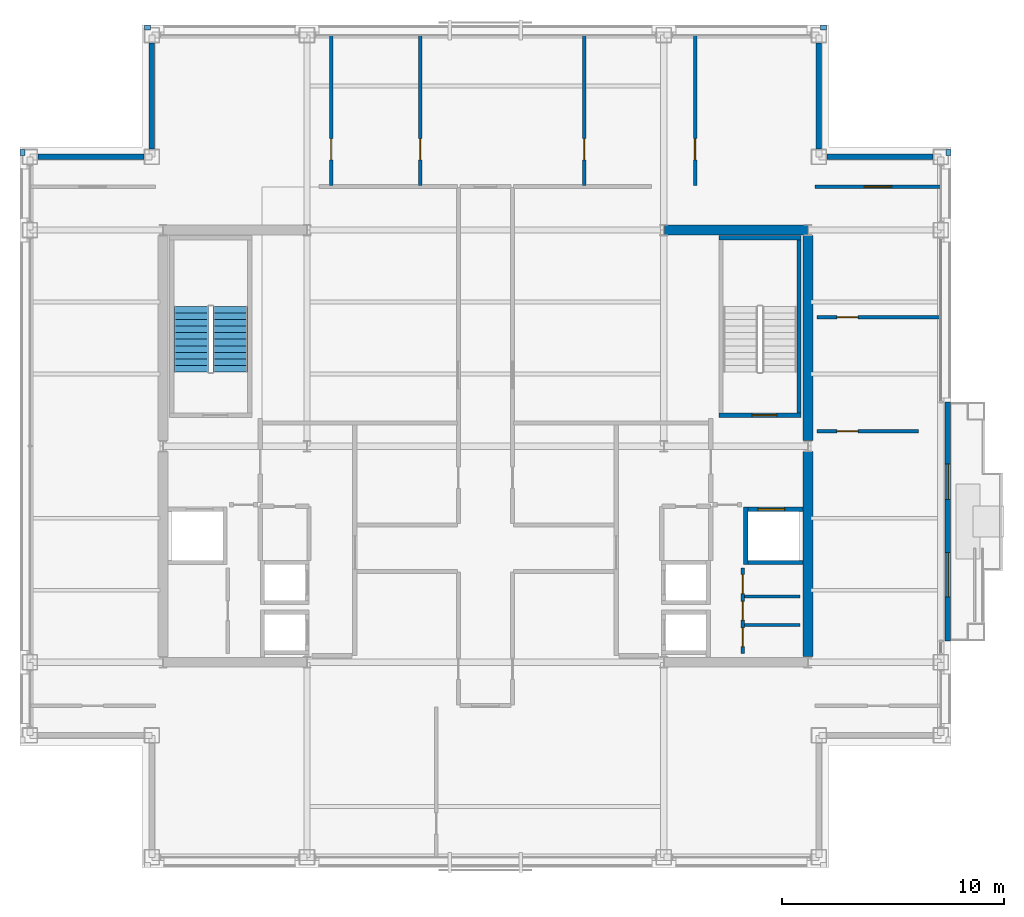
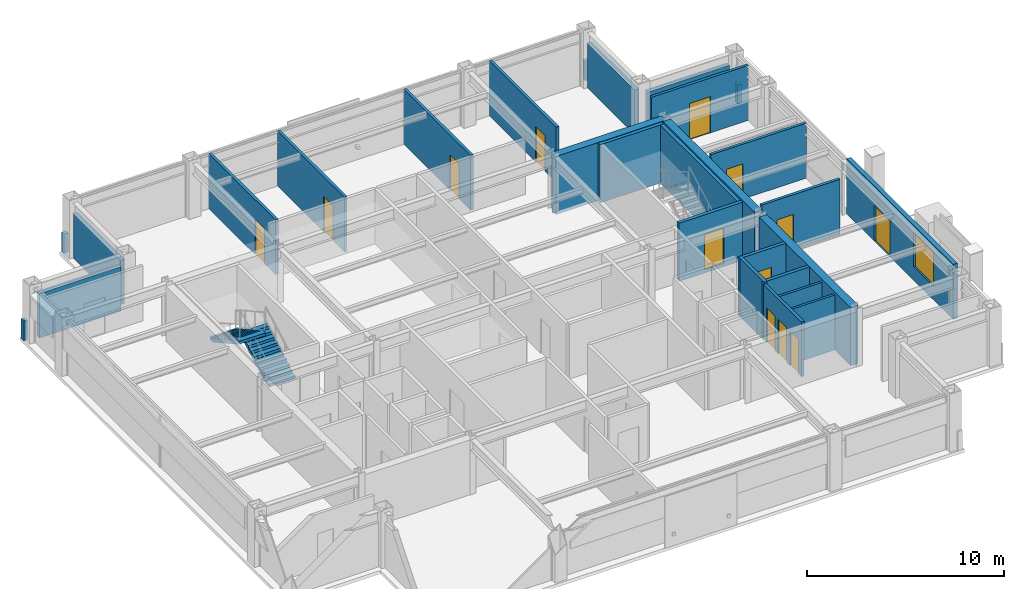
# One storey, part 27 of 30: 28 walls, 13 doors, 2 stair flights, 1 window, 14 openings, 1 element without a shape of its own.
"""IFC4 building model written with IfcOpenShell, lengths in metres."""

import ifcopenshell
import ifcopenshell.guid

model = None  # the IFC model being written
_history = None  # IfcOwnerHistory: only IFC2X3 demands one
_inside = {}  # id of a spatial element -> (the spatial element, [elements in it])
_under = {}  # id of a project, library or spatial element -> (it, [spatial elements below it])
_declared = {}  # id of a project -> (the project, [libraries it declares])
_typed = {}  # id of a type object -> (the type object, [elements of that type])
_made_of = {}  # id of a material, layer set ... -> (it, [elements and type objects made of it])


def new_model(schema):
    """Start an empty IFC model of exactly this schema.

    Asked for "IFC4X3", IfcOpenShell would pick the latest addendum, in which some entities
    have other attributes; the version numbers below select the first issue.
    IFC2X3 requires an IfcOwnerHistory on every rooted entity: one is made here for all.
    """
    global model, _history
    if schema == "IFC4X3":
        model = ifcopenshell.file(schema_version=(4, 3, 0, 0))
    else:
        model = ifcopenshell.file(schema=schema)
    _inside.clear()
    _under.clear()
    _declared.clear()
    _typed.clear()
    _made_of.clear()
    _history = None
    if model.schema == "IFC2X3":
        org = make("IfcOrganization", Name="unknown")
        user = make(
            "IfcPersonAndOrganization",
            ThePerson=make("IfcPerson", FamilyName="unknown"),
            TheOrganization=org,
        )
        app = make(
            "IfcApplication",
            ApplicationDeveloper=org,
            Version="unknown",
            ApplicationFullName="unknown",
            ApplicationIdentifier="unknown",
        )
        _history = make(
            "IfcOwnerHistory",
            OwningUser=user,
            OwningApplication=app,
            ChangeAction="ADDED",
            CreationDate=0,
        )
    return model


def make(cls, **values):
    """One entity of the class cls with the attributes given. An attribute that is None is left unset."""
    return model.create_entity(
        cls, **{name: value for name, value in values.items() if value is not None}
    )


def rooted(cls, **values):
    """An entity with a GlobalId (a new one), such as an element, a storey or a relation."""
    return make(cls, GlobalId=ifcopenshell.guid.new(), OwnerHistory=_history, **values)


def si_unit(unit_type, name, prefix=None):
    """IfcSIUnit, for example si_unit("LENGTHUNIT", "METRE", prefix="MILLI")."""
    return make("IfcSIUnit", UnitType=unit_type, Prefix=prefix, Name=name)


def assignment(units):
    """IfcUnitAssignment: the units of a project."""
    return None if units is None else make("IfcUnitAssignment", Units=units)


def point(xyz):
    """IfcCartesianPoint."""
    return None if xyz is None else make("IfcCartesianPoint", Coordinates=xyz)


def direction(xyz):
    """IfcDirection."""
    return None if xyz is None else make("IfcDirection", DirectionRatios=xyz)


def frame(location, z_axis=None, x_axis=None):
    """IfcAxis2Placement3D, a coordinate frame: its origin and axes. An axis left out is left unset."""
    return make(
        "IfcAxis2Placement3D",
        Location=point(location),
        Axis=direction(z_axis),
        RefDirection=direction(x_axis),
    )


def frame_2d(location, x_axis=None):
    """IfcAxis2Placement2D, a coordinate frame in the plane: its origin and x axis."""
    return make(
        "IfcAxis2Placement2D", Location=point(location), RefDirection=direction(x_axis)
    )


def origin():
    """The frame at (0, 0, 0) with its axes left unset."""
    return frame((0.0, 0.0, 0.0))


def place(relative_to, where):
    """IfcLocalPlacement: puts the frame where relative to a parent placement (None: the world)."""
    return make(
        "IfcLocalPlacement", PlacementRelTo=relative_to, RelativePlacement=where
    )


def context(
    kind, dimensions, precision=None, world=None, true_north=None, identifier=None
):
    """IfcGeometricRepresentationContext, for example the 3D "Model" context."""
    return make(
        "IfcGeometricRepresentationContext",
        ContextIdentifier=identifier,
        ContextType=kind,
        CoordinateSpaceDimension=dimensions,
        Precision=precision,
        WorldCoordinateSystem=world,
        TrueNorth=true_north,
    )


def subcontext(parent, identifier, kind, view, scale=None):
    """IfcGeometricRepresentationSubContext, for example "Body" below "Model"."""
    return make(
        "IfcGeometricRepresentationSubContext",
        ContextIdentifier=identifier,
        ContextType=kind,
        ParentContext=parent,
        TargetScale=scale,
        TargetView=view,
    )


def project(units=None, contexts=None):
    """IfcProject with its units and contexts."""
    return rooted(
        "IfcProject",
        Name="project",
        RepresentationContexts=contexts,
        UnitsInContext=assignment(units),
    )


def spatial(cls, under=None, at=None, **own):
    """A site, building, storey or space (cls), placed at a placement, below another one or the project."""
    s = rooted(cls, ObjectPlacement=at, **own)
    if under is not None:
        _under.setdefault(under.id(), (under, []))[1].append(s)
    return s


def polyline(points):
    """IfcPolyline through the points."""
    return make("IfcPolyline", Points=[point(p) for p in points])


def profile(cls, at=None, kind="AREA", **sizes):
    """A parametric profile (cls). Its sizes go by their IFC names, for example OverallWidth=200.0."""
    return make(cls, ProfileType=kind, Position=at, **sizes)


def rectangle(**sizes):
    """IfcRectangleProfileDef."""
    return profile("IfcRectangleProfileDef", **sizes)


def outline(outer, holes=None, kind="AREA"):
    """IfcArbitraryClosedProfileDef: a profile drawn as a closed curve; with holes, ...WithVoids."""
    if holes is None:
        return make("IfcArbitraryClosedProfileDef", ProfileType=kind, OuterCurve=outer)
    return make(
        "IfcArbitraryProfileDefWithVoids",
        ProfileType=kind,
        OuterCurve=outer,
        InnerCurves=holes,
    )


def extrude(swept, where, along, depth):
    """IfcExtrudedAreaSolid: the profile swept, set in the frame where, extruded along a direction by depth."""
    return make(
        "IfcExtrudedAreaSolid",
        SweptArea=swept,
        Position=where,
        ExtrudedDirection=direction(along),
        Depth=depth,
    )


def shape(context_of_items, identifier, shape_type, items):
    """IfcShapeRepresentation: the items that make up one representation, for example the "Body"."""
    return make(
        "IfcShapeRepresentation",
        ContextOfItems=context_of_items,
        RepresentationIdentifier=identifier,
        RepresentationType=shape_type,
        Items=items,
    )


def material(Name=None, Category=None):
    """IfcMaterial."""
    return make("IfcMaterial", Name=Name, Category=Category)


def layer(
    of_material, thickness, ventilated=None, Name=None, Category=None, Priority=None
):
    """IfcMaterialLayer: one layer of a wall or slab, of a material (None: an air gap)."""
    return make(
        "IfcMaterialLayer",
        Material=of_material,
        LayerThickness=thickness,
        IsVentilated=ventilated,
        Name=Name,
        Category=Category,
        Priority=Priority,
    )


def layer_set(layers, Name=None):
    """IfcMaterialLayerSet."""
    return make("IfcMaterialLayerSet", MaterialLayers=layers, LayerSetName=Name)


def made_of(thing, what):
    """Note that an element or type object is made of a material, layer set ...; save() writes the relation."""
    if what is not None:
        _made_of.setdefault(what.id(), (what, []))[1].append(thing)
    return thing


def type_object(cls, material=None, **own):
    """A type object (cls), such as IfcWallType, which elements share."""
    return made_of(rooted(cls, **own), material)


def element(
    cls,
    number,
    at=None,
    inside=None,
    cuts=None,
    type_object=None,
    material=None,
    context=None,
    identifier="Body",
    shape_type=None,
    held_by="IfcProductDefinitionShape",
    body=None,
    shapes=None,
    **own,
):
    """One element of the class cls, such as IfcWall. Its Tag is "e" and its number.

    at: its placement. inside: the storey or other place that contains it. cuts: it is an
    opening in that element (IfcRelVoidsElement). A single representation is given by context,
    identifier, shape_type and body (its items); several are given by shapes. held_by: the class
    of the entity that holds the representations. save() writes the other relations.
    """
    e = rooted(cls, Tag="e%d" % number, ObjectPlacement=at, **own)
    if body is not None:
        shapes = [shape(context, identifier, shape_type, body)]
    if shapes is not None:
        e.Representation = make(held_by, Representations=shapes)
    if inside is not None:
        _inside.setdefault(inside.id(), (inside, []))[1].append(e)
    if cuts is not None:
        rooted(
            "IfcRelVoidsElement", RelatingBuildingElement=cuts, RelatedOpeningElement=e
        )
    if type_object is not None:
        _typed.setdefault(type_object.id(), (type_object, []))[1].append(e)
    return made_of(e, material)


def fill(opening, filler):
    """IfcRelFillsElement: the door or window that sits in an opening."""
    return rooted(
        "IfcRelFillsElement",
        RelatingOpeningElement=opening,
        RelatedBuildingElement=filler,
    )


def aggregate(whole, parts):
    """IfcRelAggregates: a whole, such as a stair, and the parts it consists of."""
    return rooted("IfcRelAggregates", RelatingObject=whole, RelatedObjects=parts)


def save(model, path):
    """Write the relations noted so far, then the file.

    IfcRelAggregates (storeys below a building ...), IfcRelContainedInSpatialStructure (elements
    in a storey), IfcRelDefinesByType, IfcRelAssociatesMaterial and IfcRelDeclares: one each for
    every whole, place, type object, material and project.
    """
    for whole, parts in _under.values():
        aggregate(whole, parts)
    for where, things in _inside.values():
        rooted(
            "IfcRelContainedInSpatialStructure",
            RelatedElements=things,
            RelatingStructure=where,
        )
    for kind, things in _typed.values():
        rooted("IfcRelDefinesByType", RelatedObjects=things, RelatingType=kind)
    for what, things in _made_of.values():
        rooted("IfcRelAssociatesMaterial", RelatedObjects=things, RelatingMaterial=what)
    for by, libraries in _declared.values():
        rooted("IfcRelDeclares", RelatingContext=by, RelatedDefinitions=libraries)
    model.write(path)


model = new_model("IFC4")

# Units and contexts
model_context = context("Model", 3, precision=1e-05, world=origin(), true_north=direction((0.0, 1.0)))
body_context = subcontext(model_context, "Body", "Model", "MODEL_VIEW")
ifc_project = project(units=[si_unit("LENGTHUNIT", "METRE"), si_unit("AREAUNIT", "SQUARE_METRE"), si_unit("VOLUMEUNIT", "CUBIC_METRE"), si_unit("PLANEANGLEUNIT", "RADIAN"), si_unit("MASSUNIT", "GRAM", prefix="KILO")], contexts=[model_context])

# Site, building, storey
site_placement = place(None, origin())
site = spatial("IfcSite", under=ifc_project, at=site_placement, CompositionType="ELEMENT")
building_placement = place(site_placement, origin())
building = spatial("IfcBuilding", under=site, at=building_placement, Name="Brelmoor Portico Tower", CompositionType="ELEMENT")
storey_placement = place(building_placement, frame((0.0, 0.0, 198.300048828125)))
storey = spatial("IfcBuildingStorey", under=building, at=storey_placement, Name="L52", CompositionType="ELEMENT", Elevation=198.300048828125)

# Walls
ifc_material_1 = material(Name="Concrete C50", Category="concrete")
ifc_layer_1 = layer(ifc_material_1, 0.449951171875)
ifc_layer_set_1 = layer_set([ifc_layer_1], Name="Concrete C50")
wall_type_1 = type_object("IfcWallType", Name="WL-CORE-450", PredefinedType="SHEAR", material=ifc_layer_set_1)
wall_1_placement = place(storey_placement, frame((8.070068359375, 9.75, -0.199951171875), z_axis=(0.0, 0.0, 1.0), x_axis=(1.0, 0.0, 0.0)))
element("IfcWall", 1, at=wall_1_placement, inside=storey, type_object=wall_type_1, Name="L52 EC North Shear Wall", PredefinedType="SHEAR", context=body_context, shape_type="SweptSolid", body=[
    extrude(rectangle(XDim=6.4599609375, YDim=0.449951171875, at=frame_2d((3.22998046875, 0.0))), origin(), (0.0, 0.0, 1.0), 3.599853515625),
])
for number, where, z_axis, x_axis, name in (
    (2, (14.550048828125, -9.5, -0.199951171875), (0.0, 0.0, 1.0), (0.0, 1.0, 0.0), "L52 EC Outer South Shear Wall"),
    (3, (14.550048828125, 0.25, -0.199951171875), (0.0, 0.0, 1.0), (0.0, 1.0, 0.0), "L52 EC Outer North Shear Wall"),
):
    element("IfcWall", number, at=place(storey_placement, frame(where, z_axis=z_axis, x_axis=x_axis)), inside=storey, type_object=wall_type_1, Name=name, PredefinedType="SHEAR", context=body_context, shape_type="SweptSolid", body=[
        extrude(rectangle(XDim=9.25, YDim=0.449951171875, at=frame_2d((4.625, 0.0))), origin(), (0.0, 0.0, 1.0), 3.599853515625),
    ])

# Wall, openings, door, window
ifc_material_2 = material(Name="Precast Concrete C40 Insulated Facade Wall", Category="concrete")
ifc_layer_2 = layer(ifc_material_2, 0.25)
ifc_layer_set_2 = layer_set([ifc_layer_2], Name="Precast Concrete C40 Insulated Facade Wall")
wall_type_2 = type_object("IfcWallType", Name="WL-EXT-250", PredefinedType="STANDARD", material=ifc_layer_set_2)
wall_2_placement = place(storey_placement, frame((20.860107421875, -8.800048828125, 0.0), z_axis=(0.0, 0.0, 1.0), x_axis=(0.0, 1.0, 0.0)))
wall_2 = element("IfcWall", 4, at=wall_2_placement, inside=storey, type_object=wall_type_2, Name="L52 Loggia Threshold Wall E-1", PredefinedType="STANDARD", context=body_context, shape_type="SweptSolid", body=[
    extrude(rectangle(XDim=10.800048828125, YDim=0.25, at=frame_2d((5.39990234375, 0.0))), origin(), (0.0, 0.0, 1.0), 3.39990234375),
])
opening_1_placement = place(wall_2_placement, frame((6.39990234375, 0.0, 0.0)))
opening_1 = element("IfcOpeningElement", 5, at=opening_1_placement, cuts=wall_2, Name="Opening D-TB1", PredefinedType="OPENING", context=body_context, shape_type="SweptSolid", body=[
    extrude(rectangle(XDim=1.60009765625, YDim=2.199951171875, at=frame_2d((0.800048828125, 1.10009765625))), frame((0.0, 0.135009765625, 0.0), z_axis=(0.0, -1.0, 0.0), x_axis=(1.0, 0.0, 0.0)), (0.0, 0.0, 1.0), 0.27001953125),
])
opening_2_placement = place(wall_2_placement, frame((2.0, 0.0, 0.85009765625)))
opening_2 = element("IfcOpeningElement", 6, at=opening_2_placement, cuts=wall_2, Name="Opening W-03", PredefinedType="OPENING", context=body_context, shape_type="SweptSolid", body=[
    extrude(rectangle(XDim=2.0, YDim=2.10009765625, at=frame_2d((1.0, 1.050048828125))), frame((0.0, 0.135009765625, 0.0), z_axis=(0.0, -1.0, 0.0), x_axis=(1.0, 0.0, 0.0)), (0.0, 0.0, 1.0), 0.27001953125),
])
ifc_material_3 = material(Name="Double-Leaf Thermally Broken Terrace Door", Category="aluminium")
door_type_1 = type_object("IfcDoorType", Name="DR-BALCONY-1600", OperationType="NOTDEFINED", PredefinedType="DOOR", material=ifc_material_3)
door_1_placement = place(opening_1_placement, origin())
door_1 = element("IfcDoor", 7, at=door_1_placement, inside=storey, type_object=door_type_1, Name="D-2211 L52 Tree Balcony Double Door E", OperationType="DOUBLE_DOOR_SINGLE_SWING", OverallHeight=2.199951171875, OverallWidth=1.60009765625, PredefinedType="DOOR", context=body_context, shape_type="SweptSolid", body=[
    extrude(rectangle(XDim=1.60009765625, YDim=2.199951171875, at=frame_2d((0.800048828125, 1.10009765625))), frame((0.0, 0.02490234375, 0.0), z_axis=(0.0, -1.0, 0.0), x_axis=(1.0, 0.0, 0.0)), (0.0, 0.0, 1.0), 0.050048828125),
])
fill(opening_1, door_1)
ifc_material_4 = material(Name="Thermally Broken Aluminium Low-E Window", Category="aluminium")
window_type = type_object("IfcWindowType", Name="WN-LOGGIA-2000x2100", PartitioningType="SINGLE_PANEL", PredefinedType="WINDOW", material=ifc_material_4)
window_placement = place(opening_2_placement, origin())
window = element("IfcWindow", 8, at=window_placement, inside=storey, type_object=window_type, Name="L52 Loggia Window E", OverallHeight=2.10009765625, OverallWidth=2.0, PartitioningType="SINGLE_PANEL", PredefinedType="WINDOW", context=body_context, shape_type="SweptSolid", body=[
    extrude(rectangle(XDim=2.0, YDim=2.10009765625, at=frame_2d((1.0, 1.050048828125))), frame((0.0, 0.030029296875, 0.0), z_axis=(0.0, -1.0, 0.0), x_axis=(1.0, 0.0, 0.0)), (0.0, 0.0, 1.0), 0.06005859375),
])
fill(opening_2, window)

# Walls
for number, where, z_axis, x_axis, name in (
    (9, (-20.18994140625, 13.050048828125, 0.0), (0.0, 0.0, 1.0), (1.0, 0.0, 0.0), "L52 Corner Notch Facade Wall NNWH1"),
    (10, (-15.050048828125, 13.409912109375, 0.0), (0.0, 0.0, 1.0), (0.0, 1.0, 0.0), "L52 Corner Notch Facade Wall NNWV1"),
    (11, (15.409912109375, 13.050048828125, 0.0), (0.0, 0.0, 1.0), (1.0, 0.0, 0.0), "L52 Corner Notch Facade Wall NNEH1"),
    (12, (15.050048828125, 13.409912109375, 0.0), (0.0, 0.0, 1.0), (0.0, 1.0, 0.0), "L52 Corner Notch Facade Wall NNEV1"),
):
    element("IfcWall", number, at=place(storey_placement, frame(where, z_axis=z_axis, x_axis=x_axis)), inside=storey, type_object=wall_type_2, Name=name, PredefinedType="STANDARD", context=body_context, shape_type="SweptSolid", body=[
        extrude(rectangle(XDim=4.780029296875, YDim=0.25, at=frame_2d((2.39013671875, 0.0))), origin(), (0.0, 0.0, 1.0), 2.75),
    ])
ifc_material_5 = material(Name="Concrete C40 Parapet Upstand", Category="concrete")
ifc_layer_3 = layer(ifc_material_5, 0.219970703125)
ifc_layer_set_3 = layer_set([ifc_layer_3], Name="Concrete C40 Parapet Upstand")
wall_type_3 = type_object("IfcWallType", Name="WL-PARAPET-220", PredefinedType="PARAPET", material=ifc_layer_set_3)
for number, where, z_axis, x_axis, name in (
    (13, (-15.389892578125, 18.889892578125, 0.0), (0.0, 0.0, 1.0), (1.0, 0.0, 0.0), "L52 Chamfer Vertex Parapet Pier NW1"),
    (14, (-20.889892578125, 13.1201171875, 0.0), (0.0, 0.0, 1.0), (0.0, 1.0, 0.0), "L52 Chamfer Vertex Parapet Pier NW2"),
    (15, (15.1201171875, 18.889892578125, 0.0), (0.0, 0.0, 1.0), (1.0, 0.0, 0.0), "L52 Chamfer Vertex Parapet Pier NE1"),
    (16, (20.889892578125, 13.1201171875, 0.0), (0.0, 0.0, 1.0), (0.0, 1.0, 0.0), "L52 Chamfer Vertex Parapet Pier NE2"),
):
    element("IfcWall", number, at=place(storey_placement, frame(where, z_axis=z_axis, x_axis=x_axis)), inside=storey, type_object=wall_type_3, Name=name, PredefinedType="PARAPET", context=body_context, shape_type="SweptSolid", body=[
        extrude(rectangle(XDim=0.269775390625, YDim=0.219970703125, at=frame_2d((0.134765625, 0.0))), origin(), (0.0, 0.0, 1.0), 1.199951171875),
    ])
ifc_material_6 = material(Name="Insulated Stud Suite Partition", Category="gypsum")
ifc_layer_4 = layer(ifc_material_6, 0.139892578125)
ifc_layer_set_4 = layer_set([ifc_layer_4], Name="Insulated Stud Suite Partition")
wall_type_4 = type_object("IfcWallType", Name="WL-PART-140", PredefinedType="PARTITIONING", material=ifc_layer_set_4)
for number, where, z_axis, x_axis, name in (
    (17, (11.699951171875, -8.066650390625, 0.0), (0.0, 0.0, 1.0), (1.0, 0.0, 0.0), "L52 E Core WC Divider 1"),
    (18, (11.699951171875, -6.783203125, 0.0), (0.0, 0.0, 1.0), (1.0, 0.0, 0.0), "L52 E Core WC Divider 2"),
):
    element("IfcWall", number, at=place(storey_placement, frame(where, z_axis=z_axis, x_axis=x_axis)), inside=storey, type_object=wall_type_4, Name=name, PredefinedType="PARTITIONING", context=body_context, shape_type="SweptSolid", body=[
        extrude(rectangle(XDim=2.5, YDim=0.139892578125, at=frame_2d((1.25, 0.0))), origin(), (0.0, 0.0, 1.0), 3.39990234375),
    ])

# Wall, openings, doors
ifc_material_7 = material(Name="Twin-Frame Acoustic Partition", Category="gypsum")
ifc_layer_5 = layer(ifc_material_7, 0.159912109375)
ifc_layer_set_5 = layer_set([ifc_layer_5], Name="Twin-Frame Acoustic Partition")
wall_type_5 = type_object("IfcWallType", Name="WL-PART-160", PredefinedType="PARTITIONING", material=ifc_layer_set_5)
wall_3_placement = place(storey_placement, frame((11.6201171875, -9.35009765625, 0.0), z_axis=(0.0, 0.0, 1.0), x_axis=(0.0, 1.0, 0.0)))
wall_3 = element("IfcWall", 19, at=wall_3_placement, inside=storey, type_object=wall_type_5, Name="L52 E Core Service Front Wall", PredefinedType="PARTITIONING", context=body_context, shape_type="SweptSolid", body=[
    extrude(rectangle(XDim=3.85009765625, YDim=0.159912109375, at=frame_2d((1.925048828125, 0.0))), origin(), (0.0, 0.0, 1.0), 3.39990234375),
])
opening_3_placement = place(wall_3_placement, frame((0.300048828125, 0.0, 0.0)))
opening_3 = element("IfcOpeningElement", 20, at=opening_3_placement, cuts=wall_3, Name="Opening D-WC1", PredefinedType="OPENING", context=body_context, shape_type="SweptSolid", body=[
    extrude(rectangle(XDim=0.85009765625, YDim=2.1201171875, at=frame_2d((0.425048828125, 1.06005859375))), frame((0.0, 0.08984375, 0.0), z_axis=(0.0, -1.0, 0.0), x_axis=(1.0, 0.0, 0.0)), (0.0, 0.0, 1.0), 0.179931640625),
])
opening_4_placement = place(wall_3_placement, frame((1.5, 0.0, 0.0)))
opening_4 = element("IfcOpeningElement", 21, at=opening_4_placement, cuts=wall_3, Name="Opening D-WC1", PredefinedType="OPENING", context=body_context, shape_type="SweptSolid", body=[
    extrude(rectangle(XDim=0.85009765625, YDim=2.1201171875, at=frame_2d((0.425048828125, 1.06005859375))), frame((0.0, 0.08984375, 0.0), z_axis=(0.0, -1.0, 0.0), x_axis=(1.0, 0.0, 0.0)), (0.0, 0.0, 1.0), 0.179931640625),
])
opening_5_placement = place(wall_3_placement, frame((2.699951171875, 0.0, 0.0)))
opening_5 = element("IfcOpeningElement", 22, at=opening_5_placement, cuts=wall_3, Name="Opening D-WC1", PredefinedType="OPENING", context=body_context, shape_type="SweptSolid", body=[
    extrude(rectangle(XDim=0.85009765625, YDim=2.1201171875, at=frame_2d((0.425048828125, 1.06005859375))), frame((0.0, 0.08984375, 0.0), z_axis=(0.0, -1.0, 0.0), x_axis=(1.0, 0.0, 0.0)), (0.0, 0.0, 1.0), 0.179931640625),
])
ifc_material_8 = material(Name="Moisture-Resistant Laminate WC Door", Category="timber")
door_type_2 = type_object("IfcDoorType", Name="DR-WC-850", OperationType="NOTDEFINED", PredefinedType="DOOR", material=ifc_material_8)
door_2_placement = place(opening_3_placement, origin())
door_2 = element("IfcDoor", 23, at=door_2_placement, inside=storey, type_object=door_type_2, Name="D-2186 L52 E Male WC Door", OperationType="SINGLE_SWING_RIGHT", OverallHeight=2.1201171875, OverallWidth=0.85009765625, PredefinedType="DOOR", context=body_context, shape_type="SweptSolid", body=[
    extrude(rectangle(XDim=0.85009765625, YDim=2.1201171875, at=frame_2d((0.425048828125, 1.06005859375))), frame((0.0, 0.02490234375, 0.0), z_axis=(0.0, -1.0, 0.0), x_axis=(1.0, 0.0, 0.0)), (0.0, 0.0, 1.0), 0.050048828125),
])
fill(opening_3, door_2)
door_3_placement = place(opening_4_placement, origin())
door_3 = element("IfcDoor", 24, at=door_3_placement, inside=storey, type_object=door_type_2, Name="D-2187 L52 E Female WC Door", OperationType="SINGLE_SWING_LEFT", OverallHeight=2.1201171875, OverallWidth=0.85009765625, PredefinedType="DOOR", context=body_context, shape_type="SweptSolid", body=[
    extrude(rectangle(XDim=0.85009765625, YDim=2.1201171875, at=frame_2d((0.425048828125, 1.06005859375))), frame((0.0, 0.02490234375, 0.0), z_axis=(0.0, -1.0, 0.0), x_axis=(1.0, 0.0, 0.0)), (0.0, 0.0, 1.0), 0.050048828125),
])
fill(opening_4, door_3)
door_4_placement = place(opening_5_placement, origin())
door_4 = element("IfcDoor", 25, at=door_4_placement, inside=storey, type_object=door_type_2, Name="D-2188 L52 E Janitor Store Door", OperationType="SINGLE_SWING_RIGHT", OverallHeight=2.1201171875, OverallWidth=0.85009765625, PredefinedType="DOOR", context=body_context, shape_type="SweptSolid", body=[
    extrude(rectangle(XDim=0.85009765625, YDim=2.1201171875, at=frame_2d((0.425048828125, 1.06005859375))), frame((0.0, 0.02490234375, 0.0), z_axis=(0.0, -1.0, 0.0), x_axis=(1.0, 0.0, 0.0)), (0.0, 0.0, 1.0), 0.050048828125),
])
fill(opening_5, door_4)

# Wall, opening, door
wall_4_placement = place(storey_placement, frame((-6.955078125, 11.77001953125, 0.0), z_axis=(0.0, 0.0, 1.0), x_axis=(0.0, 1.0, 0.0)))
wall_4 = element("IfcWall", 26, at=wall_4_placement, inside=storey, type_object=wall_type_5, Name="L52 North Suite Partition 1", PredefinedType="PARTITIONING", context=body_context, shape_type="SweptSolid", body=[
    extrude(rectangle(XDim=6.7900390625, YDim=0.159912109375, at=frame_2d((3.39501953125, 0.0))), origin(), (0.0, 0.0, 1.0), 3.39990234375),
])
opening_6_placement = place(wall_4_placement, frame((1.14990234375, 0.0, 0.0)))
opening_6 = element("IfcOpeningElement", 27, at=opening_6_placement, cuts=wall_4, Name="Opening D-IN2", PredefinedType="OPENING", context=body_context, shape_type="SweptSolid", body=[
    extrude(rectangle(XDim=0.9599609375, YDim=2.179931640625, at=frame_2d((0.47998046875, 1.08984375))), frame((0.0, 0.08984375, 0.0), z_axis=(0.0, -1.0, 0.0), x_axis=(1.0, 0.0, 0.0)), (0.0, 0.0, 1.0), 0.179931640625),
])
ifc_material_9 = material(Name="Lacquered Timber Suite Door", Category="wood")
door_type_3 = type_object("IfcDoorType", Name="DR-INT-950", OperationType="NOTDEFINED", PredefinedType="DOOR", material=ifc_material_9)
door_5_placement = place(opening_6_placement, origin())
door_5 = element("IfcDoor", 28, at=door_5_placement, inside=storey, type_object=door_type_3, Name="D-2199 L52 North Suite Connecting Door 1", OperationType="SINGLE_SWING_LEFT", OverallHeight=2.179931640625, OverallWidth=0.9599609375, PredefinedType="DOOR", context=body_context, shape_type="SweptSolid", body=[
    extrude(rectangle(XDim=0.9599609375, YDim=2.179931640625, at=frame_2d((0.47998046875, 1.08984375))), frame((0.0, 0.02490234375, 0.0), z_axis=(0.0, -1.0, 0.0), x_axis=(1.0, 0.0, 0.0)), (0.0, 0.0, 1.0), 0.050048828125),
])
fill(opening_6, door_5)

wall_5_placement = place(storey_placement, frame((-2.9345703125, 11.77001953125, 0.0), z_axis=(0.0, 0.0, 1.0), x_axis=(0.0, 1.0, 0.0)))
wall_5 = element("IfcWall", 29, at=wall_5_placement, inside=storey, type_object=wall_type_5, Name="L52 North Suite Partition 2", PredefinedType="PARTITIONING", context=body_context, shape_type="SweptSolid", body=[
    extrude(rectangle(XDim=6.7900390625, YDim=0.159912109375, at=frame_2d((3.39501953125, 0.0))), origin(), (0.0, 0.0, 1.0), 3.39990234375),
])
opening_7_placement = place(wall_5_placement, frame((1.14990234375, 0.0, 0.0)))
opening_7 = element("IfcOpeningElement", 30, at=opening_7_placement, cuts=wall_5, Name="Opening D-IN2", PredefinedType="OPENING", context=body_context, shape_type="SweptSolid", body=[
    extrude(rectangle(XDim=0.9599609375, YDim=2.179931640625, at=frame_2d((0.47998046875, 1.08984375))), frame((0.0, 0.08984375, 0.0), z_axis=(0.0, -1.0, 0.0), x_axis=(1.0, 0.0, 0.0)), (0.0, 0.0, 1.0), 0.179931640625),
])
door_6_placement = place(opening_7_placement, origin())
door_6 = element("IfcDoor", 31, at=door_6_placement, inside=storey, type_object=door_type_3, Name="D-2200 L52 North Suite Connecting Door 2", OperationType="SINGLE_SWING_RIGHT", OverallHeight=2.179931640625, OverallWidth=0.9599609375, PredefinedType="DOOR", context=body_context, shape_type="SweptSolid", body=[
    extrude(rectangle(XDim=0.9599609375, YDim=2.179931640625, at=frame_2d((0.47998046875, 1.08984375))), frame((0.0, 0.02490234375, 0.0), z_axis=(0.0, -1.0, 0.0), x_axis=(1.0, 0.0, 0.0)), (0.0, 0.0, 1.0), 0.050048828125),
])
fill(opening_7, door_6)

wall_6_placement = place(storey_placement, frame((4.451171875, 11.77001953125, 0.0), z_axis=(0.0, 0.0, 1.0), x_axis=(0.0, 1.0, 0.0)))
wall_6 = element("IfcWall", 32, at=wall_6_placement, inside=storey, type_object=wall_type_5, Name="L52 North Suite Partition 3", PredefinedType="PARTITIONING", context=body_context, shape_type="SweptSolid", body=[
    extrude(rectangle(XDim=6.7900390625, YDim=0.159912109375, at=frame_2d((3.39501953125, 0.0))), origin(), (0.0, 0.0, 1.0), 3.39990234375),
])
opening_8_placement = place(wall_6_placement, frame((1.14990234375, 0.0, 0.0)))
opening_8 = element("IfcOpeningElement", 33, at=opening_8_placement, cuts=wall_6, Name="Opening D-IN2", PredefinedType="OPENING", context=body_context, shape_type="SweptSolid", body=[
    extrude(rectangle(XDim=0.9599609375, YDim=2.179931640625, at=frame_2d((0.47998046875, 1.08984375))), frame((0.0, 0.08984375, 0.0), z_axis=(0.0, -1.0, 0.0), x_axis=(1.0, 0.0, 0.0)), (0.0, 0.0, 1.0), 0.179931640625),
])
door_7_placement = place(opening_8_placement, origin())
door_7 = element("IfcDoor", 34, at=door_7_placement, inside=storey, type_object=door_type_3, Name="D-2201 L52 North Suite Connecting Door 3", OperationType="SINGLE_SWING_LEFT", OverallHeight=2.179931640625, OverallWidth=0.9599609375, PredefinedType="DOOR", context=body_context, shape_type="SweptSolid", body=[
    extrude(rectangle(XDim=0.9599609375, YDim=2.179931640625, at=frame_2d((0.47998046875, 1.08984375))), frame((0.0, 0.02490234375, 0.0), z_axis=(0.0, -1.0, 0.0), x_axis=(1.0, 0.0, 0.0)), (0.0, 0.0, 1.0), 0.050048828125),
])
fill(opening_8, door_7)

wall_7_placement = place(storey_placement, frame((9.458740234375, 11.77001953125, 0.0), z_axis=(0.0, 0.0, 1.0), x_axis=(0.0, 1.0, 0.0)))
wall_7 = element("IfcWall", 35, at=wall_7_placement, inside=storey, type_object=wall_type_5, Name="L52 North Suite Partition 4", PredefinedType="PARTITIONING", context=body_context, shape_type="SweptSolid", body=[
    extrude(rectangle(XDim=6.7900390625, YDim=0.159912109375, at=frame_2d((3.39501953125, 0.0))), origin(), (0.0, 0.0, 1.0), 3.39990234375),
])
opening_9_placement = place(wall_7_placement, frame((1.14990234375, 0.0, 0.0)))
opening_9 = element("IfcOpeningElement", 36, at=opening_9_placement, cuts=wall_7, Name="Opening D-IN2", PredefinedType="OPENING", context=body_context, shape_type="SweptSolid", body=[
    extrude(rectangle(XDim=0.9599609375, YDim=2.179931640625, at=frame_2d((0.47998046875, 1.08984375))), frame((0.0, 0.08984375, 0.0), z_axis=(0.0, -1.0, 0.0), x_axis=(1.0, 0.0, 0.0)), (0.0, 0.0, 1.0), 0.179931640625),
])
door_8_placement = place(opening_9_placement, origin())
door_8 = element("IfcDoor", 37, at=door_8_placement, inside=storey, type_object=door_type_3, Name="D-2202 L52 North Suite Connecting Door 4", OperationType="SINGLE_SWING_RIGHT", OverallHeight=2.179931640625, OverallWidth=0.9599609375, PredefinedType="DOOR", context=body_context, shape_type="SweptSolid", body=[
    extrude(rectangle(XDim=0.9599609375, YDim=2.179931640625, at=frame_2d((0.47998046875, 1.08984375))), frame((0.0, 0.02490234375, 0.0), z_axis=(0.0, -1.0, 0.0), x_axis=(1.0, 0.0, 0.0)), (0.0, 0.0, 1.0), 0.050048828125),
])
fill(opening_9, door_8)

wall_8_placement = place(storey_placement, frame((14.8798828125, 11.7099609375, 0.0), z_axis=(0.0, 0.0, 1.0), x_axis=(1.0, 0.0, 0.0)))
wall_8 = element("IfcWall", 38, at=wall_8_placement, inside=storey, type_object=wall_type_5, Name="L52 North Wing Suite Wall ER", PredefinedType="PARTITIONING", context=body_context, shape_type="SweptSolid", body=[
    extrude(rectangle(XDim=5.68017578125, YDim=0.159912109375, at=frame_2d((2.840087890625, 0.0))), origin(), (0.0, 0.0, 1.0), 3.39990234375),
])
opening_10_placement = place(wall_8_placement, frame((2.219970703125, 0.0, 0.0)))
opening_10 = element("IfcOpeningElement", 39, at=opening_10_placement, cuts=wall_8, Name="Opening D-SU1", PredefinedType="OPENING", context=body_context, shape_type="SweptSolid", body=[
    extrude(rectangle(XDim=1.239990234375, YDim=2.239990234375, at=frame_2d((0.6201171875, 1.1201171875))), frame((0.0, 0.08984375, 0.0), z_axis=(0.0, -1.0, 0.0), x_axis=(1.0, 0.0, 0.0)), (0.0, 0.0, 1.0), 0.179931640625),
])
ifc_material_10 = material(Name="Glazed Timber Executive Suite Door", Category="wood")
door_type_4 = type_object("IfcDoorType", Name="DR-SUITE-1200", OperationType="NOTDEFINED", PredefinedType="DOOR", material=ifc_material_10)
door_9_placement = place(opening_10_placement, origin())
door_9 = element("IfcDoor", 40, at=door_9_placement, inside=storey, type_object=door_type_4, Name="D-2203 L52 ER Wing Suite Connecting Door", OperationType="SINGLE_SWING_LEFT", OverallHeight=2.239990234375, OverallWidth=1.239990234375, PredefinedType="DOOR", context=body_context, shape_type="SweptSolid", body=[
    extrude(rectangle(XDim=1.239990234375, YDim=2.239990234375, at=frame_2d((0.6201171875, 1.1201171875))), frame((0.0, 0.02490234375, 0.0), z_axis=(0.0, -1.0, 0.0), x_axis=(1.0, 0.0, 0.0)), (0.0, 0.0, 1.0), 0.050048828125),
])
fill(opening_10, door_9)

wall_9_placement = place(storey_placement, frame((14.9599609375, 0.669921875, 0.0), z_axis=(0.0, 0.0, 1.0), x_axis=(1.0, 0.0, 0.0)))
wall_9 = element("IfcWall", 41, at=wall_9_placement, inside=storey, type_object=wall_type_5, Name="L52 E Wing Partition 1", PredefinedType="PARTITIONING", context=body_context, shape_type="SweptSolid", body=[
    extrude(rectangle(XDim=4.590087890625, YDim=0.159912109375, at=frame_2d((2.294921875, 0.0))), origin(), (0.0, 0.0, 1.0), 3.39990234375),
])
opening_11_placement = place(wall_9_placement, frame((0.89990234375, 0.0, 0.0)))
opening_11 = element("IfcOpeningElement", 42, at=opening_11_placement, cuts=wall_9, Name="Opening D-IN2", PredefinedType="OPENING", context=body_context, shape_type="SweptSolid", body=[
    extrude(rectangle(XDim=0.9599609375, YDim=2.179931640625, at=frame_2d((0.47998046875, 1.08984375))), frame((0.0, 0.08984375, 0.0), z_axis=(0.0, -1.0, 0.0), x_axis=(1.0, 0.0, 0.0)), (0.0, 0.0, 1.0), 0.179931640625),
])
door_10_placement = place(opening_11_placement, origin())
door_10 = element("IfcDoor", 43, at=door_10_placement, inside=storey, type_object=door_type_3, Name="D-2212 L52 E Wing Suite Connecting Door 1", OperationType="SINGLE_SWING_RIGHT", OverallHeight=2.179931640625, OverallWidth=0.9599609375, PredefinedType="DOOR", context=body_context, shape_type="SweptSolid", body=[
    extrude(rectangle(XDim=0.9599609375, YDim=2.179931640625, at=frame_2d((0.47998046875, 1.08984375))), frame((0.0, 0.02490234375, 0.0), z_axis=(0.0, -1.0, 0.0), x_axis=(1.0, 0.0, 0.0)), (0.0, 0.0, 1.0), 0.050048828125),
])
fill(opening_11, door_10)

wall_10_placement = place(storey_placement, frame((14.9599609375, 5.81494140625, 0.0), z_axis=(0.0, 0.0, 1.0), x_axis=(1.0, 0.0, 0.0)))
wall_10 = element("IfcWall", 44, at=wall_10_placement, inside=storey, type_object=wall_type_5, Name="L52 E Wing Partition 2", PredefinedType="PARTITIONING", context=body_context, shape_type="SweptSolid", body=[
    extrude(rectangle(XDim=5.60009765625, YDim=0.159912109375, at=frame_2d((2.800048828125, 0.0))), origin(), (0.0, 0.0, 1.0), 3.39990234375),
])
opening_12_placement = place(wall_10_placement, frame((0.89990234375, 0.0, 0.0)))
opening_12 = element("IfcOpeningElement", 45, at=opening_12_placement, cuts=wall_10, Name="Opening D-IN2", PredefinedType="OPENING", context=body_context, shape_type="SweptSolid", body=[
    extrude(rectangle(XDim=0.9599609375, YDim=2.179931640625, at=frame_2d((0.47998046875, 1.08984375))), frame((0.0, 0.08984375, 0.0), z_axis=(0.0, -1.0, 0.0), x_axis=(1.0, 0.0, 0.0)), (0.0, 0.0, 1.0), 0.179931640625),
])
door_11_placement = place(opening_12_placement, origin())
door_11 = element("IfcDoor", 46, at=door_11_placement, inside=storey, type_object=door_type_3, Name="D-2213 L52 E Wing Suite Connecting Door 2", OperationType="SINGLE_SWING_LEFT", OverallHeight=2.179931640625, OverallWidth=0.9599609375, PredefinedType="DOOR", context=body_context, shape_type="SweptSolid", body=[
    extrude(rectangle(XDim=0.9599609375, YDim=2.179931640625, at=frame_2d((0.47998046875, 1.08984375))), frame((0.0, 0.02490234375, 0.0), z_axis=(0.0, -1.0, 0.0), x_axis=(1.0, 0.0, 0.0)), (0.0, 0.0, 1.0), 0.050048828125),
])
fill(opening_12, door_11)

ifc_material_11 = material(Name="Precast Concrete C40", Category="concrete")
ifc_layer_6 = layer(ifc_material_11, 0.18994140625)
ifc_layer_set_6 = layer_set([ifc_layer_6], Name="Precast Concrete C40")
wall_type_6 = type_object("IfcWallType", Name="WL-SHAFT-180", PredefinedType="SOLIDWALL", material=ifc_layer_set_6)
wall_11_placement = place(storey_placement, frame((11.64990234375, -2.844970703125, -0.199951171875), z_axis=(0.0, 0.0, 1.0), x_axis=(1.0, 0.0, 0.0)))
wall_11 = element("IfcWall", 47, at=wall_11_placement, inside=storey, type_object=wall_type_6, Name="L52 Lift FF2 Hoistway Front Wall", PredefinedType="SOLIDWALL", context=body_context, shape_type="SweptSolid", body=[
    extrude(rectangle(XDim=2.68017578125, YDim=0.18994140625, at=frame_2d((1.340087890625, 0.0))), origin(), (0.0, 0.0, 1.0), 3.599853515625),
])
opening_13_placement = place(wall_11_placement, frame((0.64990234375, 0.0, 0.199951171875)))
opening_13 = element("IfcOpeningElement", 48, at=opening_13_placement, cuts=wall_11, Name="Opening LD-02", PredefinedType="OPENING", context=body_context, shape_type="SweptSolid", body=[
    extrude(rectangle(XDim=1.199951171875, YDim=2.199951171875, at=frame_2d((0.60009765625, 1.10009765625))), frame((0.0, 0.10498046875, 0.0), z_axis=(0.0, -1.0, 0.0), x_axis=(1.0, 0.0, 0.0)), (0.0, 0.0, 1.0), 0.2099609375),
])
ifc_material_12 = material(Name="Brushed Stainless Steel Firefighting Lift Door", Category="steel")
door_type_5 = type_object("IfcDoorType", Name="DR-LIFT-1200", OperationType="NOTDEFINED", PredefinedType="DOOR", material=ifc_material_12)
door_12_placement = place(opening_13_placement, origin())
door_12 = element("IfcDoor", 49, at=door_12_placement, inside=storey, type_object=door_type_5, Name="D-2215 L52 Lift FF2 Sliding Landing Door", OperationType="SLIDING_TO_LEFT", OverallHeight=2.199951171875, OverallWidth=1.199951171875, PredefinedType="DOOR", context=body_context, shape_type="SweptSolid", body=[
    extrude(rectangle(XDim=1.199951171875, YDim=2.199951171875, at=frame_2d((0.60009765625, 1.10009765625))), frame((0.0, 0.02490234375, 0.0), z_axis=(0.0, -1.0, 0.0), x_axis=(1.0, 0.0, 0.0)), (0.0, 0.0, 1.0), 0.050048828125),
])
fill(opening_13, door_12)

# Walls
wall_12_placement = place(storey_placement, frame((11.64990234375, -5.2548828125, -0.199951171875), z_axis=(0.0, 0.0, 1.0), x_axis=(1.0, 0.0, 0.0)))
element("IfcWall", 50, at=wall_12_placement, inside=storey, type_object=wall_type_6, Name="L52 Firefighting Lift FF2 South Wall", PredefinedType="SOLIDWALL", context=body_context, shape_type="SweptSolid", body=[
    extrude(rectangle(XDim=2.68017578125, YDim=0.18994140625, at=frame_2d((1.340087890625, 0.0))), origin(), (0.0, 0.0, 1.0), 3.599853515625),
])
wall_13_placement = place(storey_placement, frame((11.7451171875, -5.35009765625, -0.199951171875), z_axis=(0.0, 0.0, 1.0), x_axis=(0.0, 1.0, 0.0)))
element("IfcWall", 51, at=wall_13_placement, inside=storey, type_object=wall_type_6, Name="L52 Firefighting Lift FF2 Inner Wall", PredefinedType="SOLIDWALL", context=body_context, shape_type="SweptSolid", body=[
    extrude(rectangle(XDim=2.60009765625, YDim=0.18994140625, at=frame_2d((1.300048828125, 0.0))), origin(), (0.0, 0.0, 1.0), 3.599853515625),
])
ifc_material_13 = material(Name="Concrete C40", Category="concrete")
ifc_layer_7 = layer(ifc_material_13, 0.199951171875)
ifc_layer_set_7 = layer_set([ifc_layer_7], Name="Concrete C40")
wall_type_7 = type_object("IfcWallType", Name="WL-SHAFT-RC200", PredefinedType="SOLIDWALL", material=ifc_layer_set_7)
wall_14_placement = place(storey_placement, frame((14.14990234375, 1.5, -0.199951171875), z_axis=(0.0, 0.0, 1.0), x_axis=(0.0, 1.0, 0.0)))
element("IfcWall", 52, at=wall_14_placement, inside=storey, type_object=wall_type_7, Name="L52 ST-E Structural Stair Wall Outer", PredefinedType="SOLIDWALL", context=body_context, shape_type="SweptSolid", body=[
    extrude(rectangle(XDim=7.800048828125, YDim=0.199951171875, at=frame_2d((3.89990234375, 0.0))), origin(), (0.0, 0.0, 1.0), 3.599853515625),
])

# Wall, opening, door
wall_15_placement = place(storey_placement, frame((10.530029296875, 1.39990234375, -0.199951171875), z_axis=(0.0, 0.0, 1.0), x_axis=(1.0, 0.0, 0.0)))
wall_15 = element("IfcWall", 53, at=wall_15_placement, inside=storey, type_object=wall_type_7, Name="L52 ST-E Structural Stair Wall S", PredefinedType="SOLIDWALL", context=body_context, shape_type="SweptSolid", body=[
    extrude(rectangle(XDim=3.719970703125, YDim=0.199951171875, at=frame_2d((1.85986328125, 0.0))), origin(), (0.0, 0.0, 1.0), 3.599853515625),
])
opening_14_placement = place(wall_15_placement, frame((1.5, 0.0, 0.199951171875)))
opening_14 = element("IfcOpeningElement", 54, at=opening_14_placement, cuts=wall_15, Name="Opening D-ST1", PredefinedType="OPENING", context=body_context, shape_type="SweptSolid", body=[
    extrude(rectangle(XDim=1.1201171875, YDim=2.179931640625, at=frame_2d((0.56005859375, 1.08984375))), frame((0.0, 0.10986328125, 0.0), z_axis=(0.0, -1.0, 0.0), x_axis=(1.0, 0.0, 0.0)), (0.0, 0.0, 1.0), 0.219970703125),
])
ifc_material_14 = material(Name="Painted Galvanised Steel Fire Door", Category="steel")
door_type_6 = type_object("IfcDoorType", Name="DR-STAIR-1100", OperationType="NOTDEFINED", PredefinedType="DOOR", material=ifc_material_14)
door_13_placement = place(opening_14_placement, origin())
door_13 = element("IfcDoor", 55, at=door_13_placement, inside=storey, type_object=door_type_6, Name="D-2207 L52 ST-E Protected Exit Stair Door", OperationType="SINGLE_SWING_RIGHT", OverallHeight=2.179931640625, OverallWidth=1.1201171875, PredefinedType="DOOR", context=body_context, shape_type="SweptSolid", body=[
    extrude(rectangle(XDim=1.1201171875, YDim=2.179931640625, at=frame_2d((0.56005859375, 1.08984375))), frame((0.0, 0.02490234375, 0.0), z_axis=(0.0, -1.0, 0.0), x_axis=(1.0, 0.0, 0.0)), (0.0, 0.0, 1.0), 0.050048828125),
])
fill(opening_14, door_13)

# Wall
wall_16_placement = place(storey_placement, frame((10.530029296875, 9.39990234375, -0.199951171875), z_axis=(0.0, 0.0, 1.0), x_axis=(1.0, 0.0, 0.0)))
element("IfcWall", 56, at=wall_16_placement, inside=storey, type_object=wall_type_7, Name="L52 ST-E Structural Stair Wall N", PredefinedType="SOLIDWALL", context=body_context, shape_type="SweptSolid", body=[
    extrude(rectangle(XDim=3.719970703125, YDim=0.199951171875, at=frame_2d((1.85986328125, 0.0))), origin(), (0.0, 0.0, 1.0), 3.599853515625),
])

# Stair, stair flights
stair_type = type_object("IfcStairType", Name="ST-CORE-W", PredefinedType="HALF_TURN_STAIR", material=ifc_material_13)
stair_placement = place(storey_placement, origin())
stair = element("IfcStair", 57, at=stair_placement, inside=storey, type_object=stair_type, Name="L52 Protected Core Exit Stair ST-W", PredefinedType="HALF_TURN_STAIR")
stair_flight_type = type_object("IfcStairFlightType", Name="SF-CORE-1850", PredefinedType="STRAIGHT", material=ifc_material_13)
stair_flight_1_placement = place(storey_placement, frame((-11.510009765625, 3.35009765625, 0.0), z_axis=(0.0, 0.0, 1.0), x_axis=(0.0, 1.0, 0.0)))
stair_flight_1 = element("IfcStairFlight", 58, at=stair_flight_1_placement, type_object=stair_flight_type, Name="ST-W flight 1", NumberOfRisers=11, NumberOfTreads=10, PredefinedType="STRAIGHT", RiserHeight=0.163636364, TreadLength=0.295, context=body_context, shape_type="SweptSolid", body=[
    extrude(outline(polyline([(0.0, 0.0), (0.0, 0.16357421875), (0.294921875, 0.16357421875), (0.294921875, 0.327392578125), (0.590087890625, 0.327392578125), (0.590087890625, 0.490966796875), (0.885009765625, 0.490966796875), (0.885009765625, 0.654541015625), (1.179931640625, 0.654541015625), (1.179931640625, 0.818115234375), (1.47509765625, 0.818115234375), (1.47509765625, 0.98193359375), (1.77001953125, 0.98193359375), (1.77001953125, 1.1455078125), (2.06494140625, 1.1455078125), (2.06494140625, 1.30908203125), (2.360107421875, 1.30908203125), (2.360107421875, 1.47265625), (2.655029296875, 1.47265625), (2.655029296875, 1.636474609375), (2.949951171875, 1.636474609375), (2.949951171875, 1.800048828125), (2.949951171875, 1.46484375), (0.30908203125, 0.0), (0.0, 0.0)])), frame((0.0, 0.780029296875, 0.0), z_axis=(0.0, -1.0, 0.0), x_axis=(1.0, 0.0, 0.0)), (0.0, 0.0, 1.0), 1.56005859375),
])
stair_flight_2_placement = place(storey_placement, frame((-13.27001953125, 6.300048828125, 1.800048828125), z_axis=(0.0, 0.0, 1.0), x_axis=(0.0, -1.0, 0.0)))
stair_flight_2 = element("IfcStairFlight", 59, at=stair_flight_2_placement, type_object=stair_flight_type, Name="ST-W flight 2", NumberOfRisers=11, NumberOfTreads=10, PredefinedType="STRAIGHT", RiserHeight=0.163636364, TreadLength=0.295, context=body_context, shape_type="SweptSolid", body=[
    extrude(outline(polyline([(0.0, 0.0), (0.0, 0.16357421875), (0.294921875, 0.16357421875), (0.294921875, 0.327392578125), (0.590087890625, 0.327392578125), (0.590087890625, 0.490966796875), (0.885009765625, 0.490966796875), (0.885009765625, 0.654541015625), (1.179931640625, 0.654541015625), (1.179931640625, 0.818115234375), (1.47509765625, 0.818115234375), (1.47509765625, 0.98193359375), (1.77001953125, 0.98193359375), (1.77001953125, 1.1455078125), (2.06494140625, 1.1455078125), (2.06494140625, 1.30908203125), (2.360107421875, 1.30908203125), (2.360107421875, 1.47265625), (2.655029296875, 1.47265625), (2.655029296875, 1.636474609375), (2.949951171875, 1.636474609375), (2.949951171875, 1.800048828125), (2.949951171875, 1.46484375), (0.30908203125, 0.0), (0.0, 0.0)])), frame((0.0, 0.780029296875, 0.0), z_axis=(0.0, -1.0, 0.0), x_axis=(1.0, 0.0, 0.0)), (0.0, 0.0, 1.0), 1.56005859375),
])
aggregate(stair, [stair_flight_1, stair_flight_2])

save(model, "model.ifc")
